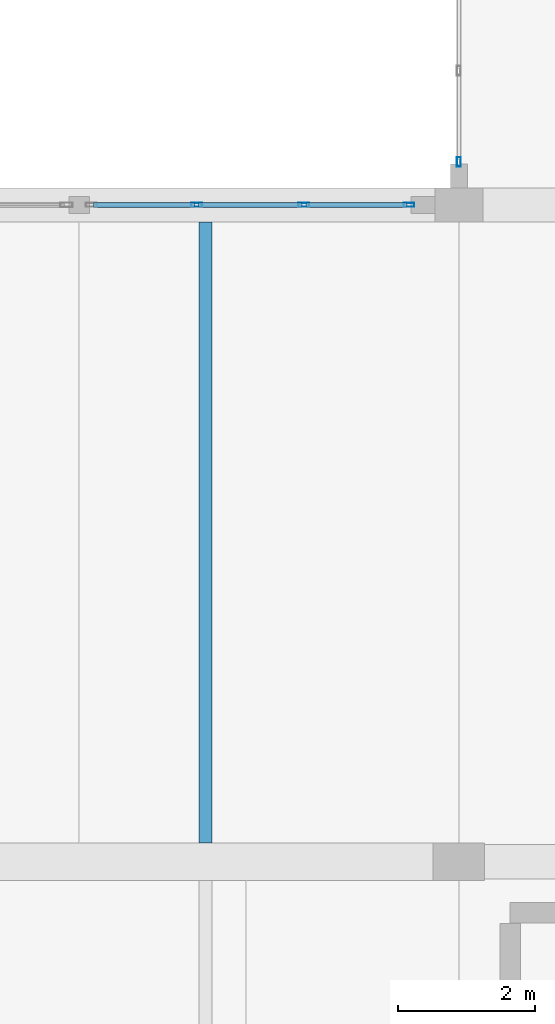
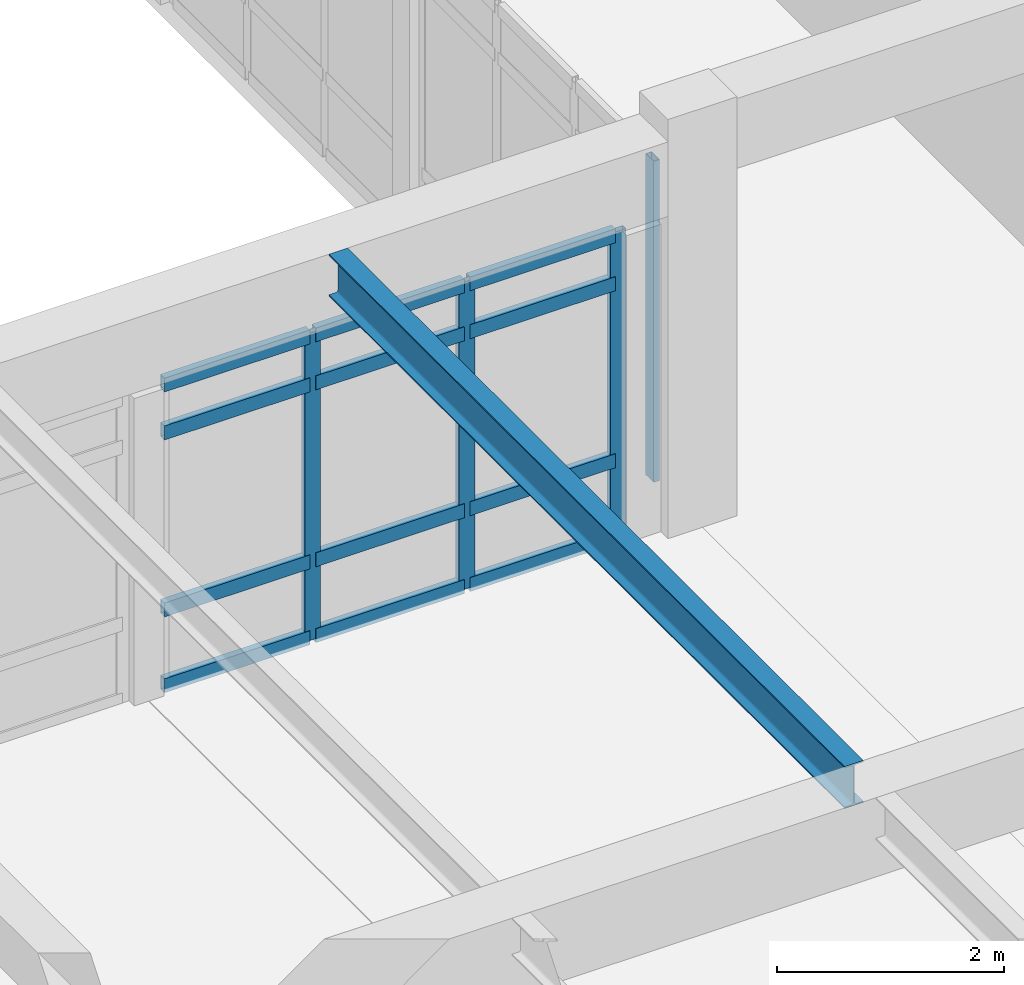
# One storey, part 30 of 80: 16 members, 1 beam, 2 elements without a shape of their own.
"""IFC4 building model written with IfcOpenShell, lengths in metres."""

from ifc_helpers import new_model, si_unit, direction, frame, origin, origin_2d, place, context, subcontext, project, spatial, hollow_rectangle, i_section, extrude, material, layer, layer_set, material_profile, profile_set, type_object, element, aggregate, save


model = new_model("IFC4")

# Units and contexts
model_context = context("Model", 3, precision=1e-05, world=origin(), true_north=direction((0.0, 1.0)))
body_context = subcontext(model_context, "Body", "Model", "MODEL_VIEW")
ifc_project = project(units=[si_unit("LENGTHUNIT", "METRE"), si_unit("AREAUNIT", "SQUARE_METRE"), si_unit("VOLUMEUNIT", "CUBIC_METRE"), si_unit("PLANEANGLEUNIT", "RADIAN"), si_unit("MASSUNIT", "GRAM", prefix="KILO")], contexts=[model_context])

# Site, building, storey
site_placement = place(None, origin())
site = spatial("IfcSite", under=ifc_project, at=site_placement, CompositionType="ELEMENT")
building_placement = place(site_placement, origin())
building = spatial("IfcBuilding", under=site, at=building_placement, Name="Fikremerkos Civic Library", CompositionType="ELEMENT")
storey_placement = place(building_placement, frame((0.0, 0.0, 9.89990234375)))
storey = spatial("IfcBuildingStorey", under=building, at=storey_placement, Name="L02", CompositionType="ELEMENT", Elevation=9.89990234375)

# Curtain wall, members
ifc_material_1 = material(Name="Anodized aluminium Frame", Category="aluminium")
ifc_layer_1 = layer(ifc_material_1, 0.159912109375, Name="Anodized aluminium Frame")
ifc_layer_set_1 = layer_set([ifc_layer_1], Name="Anodized aluminium Frame")
curtain_wall_type_1 = type_object("IfcCurtainWallType", Name="Unitised curtain wall CW-10 4000x3400", PredefinedType="USERDEFINED", material=ifc_layer_set_1)
curtain_wall_1_placement = place(storey_placement, origin())
curtain_wall_1 = element("IfcCurtainWall", 1, at=curtain_wall_1_placement, inside=storey, type_object=curtain_wall_type_1, Name="Unitised curtain wall CW-10 L02 #172", ObjectType="UNITISED CURTAIN WALL", PredefinedType="USERDEFINED")
ifc_material_profile_1 = material_profile(ifc_material_1, hollow_rectangle(XDim=0.06005859375, YDim=0.159912109375, WallThickness=0.00390625, at=origin_2d()), Name="ALU 160x60x4")
ifc_profile_set_1 = profile_set([ifc_material_profile_1], Name="Anodized aluminium Frame")
member_type_1 = type_object("IfcMemberType", Name="Curtain mullion CWM-02 ALU 160x60x4", PredefinedType="MULLION", material=ifc_profile_set_1)
member_1_placement = place(storey_placement, frame((120.96728515625, 31.199951171875, 0.0), z_axis=(0.0, 0.0, 1.0), x_axis=(0.0, 1.0, 0.0)))
member_1 = element("IfcMember", 2, at=member_1_placement, type_object=member_type_1, Name="CW-10 mullion 2", PredefinedType="MULLION", context=body_context, shape_type="SweptSolid", body=[
    extrude(hollow_rectangle(XDim=0.06005859375, YDim=0.159912109375, WallThickness=0.00390625, at=origin_2d()), origin(), (0.0, 0.0, 1.0), 3.300048828125),
])
member_2_placement = place(storey_placement, frame((122.53466796875, 31.199951171875, 0.0), z_axis=(0.0, 0.0, 1.0), x_axis=(0.0, 1.0, 0.0)))
member_2 = element("IfcMember", 3, at=member_2_placement, type_object=member_type_1, Name="CW-10 mullion 3", PredefinedType="MULLION", context=body_context, shape_type="SweptSolid", body=[
    extrude(hollow_rectangle(XDim=0.06005859375, YDim=0.159912109375, WallThickness=0.00390625, at=origin_2d()), origin(), (0.0, 0.0, 1.0), 3.300048828125),
])
member_3_placement = place(storey_placement, frame((124.072021484375, 31.199951171875, 0.0), z_axis=(0.0, 0.0, 1.0), x_axis=(0.0, 1.0, 0.0)))
member_3 = element("IfcMember", 4, at=member_3_placement, type_object=member_type_1, Name="CW-10 mullion 4", PredefinedType="MULLION", context=body_context, shape_type="SweptSolid", body=[
    extrude(hollow_rectangle(XDim=0.06005859375, YDim=0.159912109375, WallThickness=0.00390625, at=origin_2d()), origin(), (0.0, 0.0, 1.0), 3.300048828125),
])

# Curtain wall, member
ifc_layer_2 = layer(ifc_material_1, 0.159912109375, Name="Anodized aluminium Frame")
ifc_layer_set_2 = layer_set([ifc_layer_2], Name="Anodized aluminium Frame")
curtain_wall_type_2 = type_object("IfcCurtainWallType", Name="Unitised curtain wall CW-11 3200x3400", PredefinedType="USERDEFINED", material=ifc_layer_set_2)
curtain_wall_2_placement = place(storey_placement, origin())
curtain_wall_2 = element("IfcCurtainWall", 5, at=curtain_wall_2_placement, inside=storey, type_object=curtain_wall_type_2, Name="Unitised curtain wall CW-11 L02 #173", ObjectType="UNITISED CURTAIN WALL", PredefinedType="USERDEFINED")
ifc_material_profile_2 = material_profile(ifc_material_1, hollow_rectangle(XDim=0.06005859375, YDim=0.139892578125, WallThickness=0.00390625, at=origin_2d()), Name="ALU 140x60x4")
ifc_profile_set_2 = profile_set([ifc_material_profile_2], Name="Anodized aluminium Frame")
member_type_2 = type_object("IfcMemberType", Name="Curtain mullion CWM-03 ALU 140x60x4", PredefinedType="MULLION", material=ifc_profile_set_2)
member_4_placement = place(storey_placement, frame((124.800048828125, 31.827880859375, 0.0), z_axis=(0.0, 0.0, 1.0), x_axis=(-1.0, 0.0, 0.0)))
member_4 = element("IfcMember", 6, at=member_4_placement, type_object=member_type_2, Name="CW-11 mullion 1", PredefinedType="MULLION", context=body_context, shape_type="SweptSolid", body=[
    extrude(hollow_rectangle(XDim=0.06005859375, YDim=0.139892578125, WallThickness=0.00390625, at=origin_2d()), origin(), (0.0, 0.0, 1.0), 3.4501953125),
])
aggregate(curtain_wall_2, [member_4])

# Member
ifc_material_profile_3 = material_profile(ifc_material_1, hollow_rectangle(XDim=0.070068359375, YDim=0.14990234375, WallThickness=0.00439453125, at=origin_2d()), Name="ALU 150x70x4.5")
ifc_profile_set_3 = profile_set([ifc_material_profile_3], Name="Anodized aluminium Frame")
member_type_3 = type_object("IfcMemberType", Name="Curtain transom CWT-01 ALU 150x70x4.5", PredefinedType="USERDEFINED", material=ifc_profile_set_3)
member_5_placement = place(storey_placement, frame((119.4599609375, 31.199951171875, 0.03515625), z_axis=(1.0, 0.0, 0.0), x_axis=(0.0, 1.0, 0.0)))
member_5 = element("IfcMember", 7, at=member_5_placement, type_object=member_type_3, Name="CW-10 transom 1.1", ObjectType="TRANSOM", PredefinedType="USERDEFINED", context=body_context, shape_type="SweptSolid", body=[
    extrude(hollow_rectangle(XDim=0.070068359375, YDim=0.14990234375, WallThickness=0.00439453125, at=origin_2d()), origin(), (0.0, 0.0, 1.0), 1.477294921875),
])

member_6_placement = place(storey_placement, frame((119.4599609375, 31.199951171875, 0.85009765625), z_axis=(1.0, 0.0, 0.0), x_axis=(0.0, 1.0, 0.0)))
member_6 = element("IfcMember", 8, at=member_6_placement, type_object=member_type_3, Name="CW-10 transom 1.2", ObjectType="TRANSOM", PredefinedType="USERDEFINED", context=body_context, shape_type="SweptSolid", body=[
    extrude(hollow_rectangle(XDim=0.070068359375, YDim=0.14990234375, WallThickness=0.00439453125, at=origin_2d()), origin(), (0.0, 0.0, 1.0), 1.477294921875),
])

member_7_placement = place(storey_placement, frame((119.4599609375, 31.199951171875, 2.75), z_axis=(1.0, 0.0, 0.0), x_axis=(0.0, 1.0, 0.0)))
member_7 = element("IfcMember", 9, at=member_7_placement, type_object=member_type_3, Name="CW-10 transom 1.3", ObjectType="TRANSOM", PredefinedType="USERDEFINED", context=body_context, shape_type="SweptSolid", body=[
    extrude(hollow_rectangle(XDim=0.070068359375, YDim=0.14990234375, WallThickness=0.00439453125, at=origin_2d()), origin(), (0.0, 0.0, 1.0), 1.477294921875),
])

member_8_placement = place(storey_placement, frame((119.4599609375, 31.199951171875, 3.26513671875), z_axis=(1.0, 0.0, 0.0), x_axis=(0.0, 1.0, 0.0)))
member_8 = element("IfcMember", 10, at=member_8_placement, type_object=member_type_3, Name="CW-10 transom 1.4", ObjectType="TRANSOM", PredefinedType="USERDEFINED", context=body_context, shape_type="SweptSolid", body=[
    extrude(hollow_rectangle(XDim=0.070068359375, YDim=0.14990234375, WallThickness=0.00439453125, at=origin_2d()), origin(), (0.0, 0.0, 1.0), 1.477294921875),
])

member_9_placement = place(storey_placement, frame((120.997314453125, 31.199951171875, 0.03515625), z_axis=(1.0, 0.0, 0.0), x_axis=(0.0, 1.0, 0.0)))
member_9 = element("IfcMember", 11, at=member_9_placement, type_object=member_type_3, Name="CW-10 transom 2.1", ObjectType="TRANSOM", PredefinedType="USERDEFINED", context=body_context, shape_type="SweptSolid", body=[
    extrude(hollow_rectangle(XDim=0.070068359375, YDim=0.14990234375, WallThickness=0.00439453125, at=origin_2d()), origin(), (0.0, 0.0, 1.0), 1.50732421875),
])

member_10_placement = place(storey_placement, frame((120.997314453125, 31.199951171875, 0.85009765625), z_axis=(1.0, 0.0, 0.0), x_axis=(0.0, 1.0, 0.0)))
member_10 = element("IfcMember", 12, at=member_10_placement, type_object=member_type_3, Name="CW-10 transom 2.2", ObjectType="TRANSOM", PredefinedType="USERDEFINED", context=body_context, shape_type="SweptSolid", body=[
    extrude(hollow_rectangle(XDim=0.070068359375, YDim=0.14990234375, WallThickness=0.00439453125, at=origin_2d()), origin(), (0.0, 0.0, 1.0), 1.50732421875),
])

member_11_placement = place(storey_placement, frame((120.997314453125, 31.199951171875, 2.75), z_axis=(1.0, 0.0, 0.0), x_axis=(0.0, 1.0, 0.0)))
member_11 = element("IfcMember", 13, at=member_11_placement, type_object=member_type_3, Name="CW-10 transom 2.3", ObjectType="TRANSOM", PredefinedType="USERDEFINED", context=body_context, shape_type="SweptSolid", body=[
    extrude(hollow_rectangle(XDim=0.070068359375, YDim=0.14990234375, WallThickness=0.00439453125, at=origin_2d()), origin(), (0.0, 0.0, 1.0), 1.50732421875),
])

member_12_placement = place(storey_placement, frame((120.997314453125, 31.199951171875, 3.26513671875), z_axis=(1.0, 0.0, 0.0), x_axis=(0.0, 1.0, 0.0)))
member_12 = element("IfcMember", 14, at=member_12_placement, type_object=member_type_3, Name="CW-10 transom 2.4", ObjectType="TRANSOM", PredefinedType="USERDEFINED", context=body_context, shape_type="SweptSolid", body=[
    extrude(hollow_rectangle(XDim=0.070068359375, YDim=0.14990234375, WallThickness=0.00439453125, at=origin_2d()), origin(), (0.0, 0.0, 1.0), 1.50732421875),
])

member_13_placement = place(storey_placement, frame((122.564697265625, 31.199951171875, 0.03515625), z_axis=(1.0, 0.0, 0.0), x_axis=(0.0, 1.0, 0.0)))
member_13 = element("IfcMember", 15, at=member_13_placement, type_object=member_type_3, Name="CW-10 transom 3.1", ObjectType="TRANSOM", PredefinedType="USERDEFINED", context=body_context, shape_type="SweptSolid", body=[
    extrude(hollow_rectangle(XDim=0.070068359375, YDim=0.14990234375, WallThickness=0.00439453125, at=origin_2d()), origin(), (0.0, 0.0, 1.0), 1.477294921875),
])

member_14_placement = place(storey_placement, frame((122.564697265625, 31.199951171875, 0.85009765625), z_axis=(1.0, 0.0, 0.0), x_axis=(0.0, 1.0, 0.0)))
member_14 = element("IfcMember", 16, at=member_14_placement, type_object=member_type_3, Name="CW-10 transom 3.2", ObjectType="TRANSOM", PredefinedType="USERDEFINED", context=body_context, shape_type="SweptSolid", body=[
    extrude(hollow_rectangle(XDim=0.070068359375, YDim=0.14990234375, WallThickness=0.00439453125, at=origin_2d()), origin(), (0.0, 0.0, 1.0), 1.477294921875),
])

member_15_placement = place(storey_placement, frame((122.564697265625, 31.199951171875, 2.75), z_axis=(1.0, 0.0, 0.0), x_axis=(0.0, 1.0, 0.0)))
member_15 = element("IfcMember", 17, at=member_15_placement, type_object=member_type_3, Name="CW-10 transom 3.3", ObjectType="TRANSOM", PredefinedType="USERDEFINED", context=body_context, shape_type="SweptSolid", body=[
    extrude(hollow_rectangle(XDim=0.070068359375, YDim=0.14990234375, WallThickness=0.00439453125, at=origin_2d()), origin(), (0.0, 0.0, 1.0), 1.477294921875),
])

member_16_placement = place(storey_placement, frame((122.564697265625, 31.199951171875, 3.26513671875), z_axis=(1.0, 0.0, 0.0), x_axis=(0.0, 1.0, 0.0)))
member_16 = element("IfcMember", 18, at=member_16_placement, type_object=member_type_3, Name="CW-10 transom 3.4", ObjectType="TRANSOM", PredefinedType="USERDEFINED", context=body_context, shape_type="SweptSolid", body=[
    extrude(hollow_rectangle(XDim=0.070068359375, YDim=0.14990234375, WallThickness=0.00439453125, at=origin_2d()), origin(), (0.0, 0.0, 1.0), 1.477294921875),
])

aggregate(curtain_wall_1, [member_1, member_2, member_3, member_5, member_6, member_7, member_8, member_9, member_10, member_11, member_12, member_13, member_14, member_15, member_16])

# Beam
ifc_material_2 = material(Name="Steel S355", Category="steel")
ifc_material_profile_4 = material_profile(ifc_material_2, i_section(OverallWidth=0.18994140625, OverallDepth=0.449951171875, WebThickness=0.009521484375, FlangeThickness=0.0146484375, FilletRadius=0.02099609375, at=origin_2d()), Name="IPE 450")
ifc_profile_set_4 = profile_set([ifc_material_profile_4], Name="Steel S355")
beam_type = type_object("IfcBeamType", Name="Floor joist JS-07 IPE 450", PredefinedType="JOIST", material=ifc_profile_set_4)
beam_placement = place(storey_placement, frame((121.10009765625, 21.875, 4.03515625), z_axis=(0.0, 1.0, 0.0), x_axis=(-1.0, 0.0, 0.0)))
element("IfcBeam", 19, at=beam_placement, inside=storey, type_object=beam_type, Name="Floor joist JS-07 L02 #523", PredefinedType="JOIST", context=body_context, shape_type="SweptSolid", body=[
    extrude(i_section(OverallWidth=0.18994140625, OverallDepth=0.449951171875, WebThickness=0.009521484375, FlangeThickness=0.0146484375, FilletRadius=0.02099609375, at=origin_2d()), origin(), (0.0, 0.0, 1.0), 9.074951171875),
])

save(model, "model.ifc")
